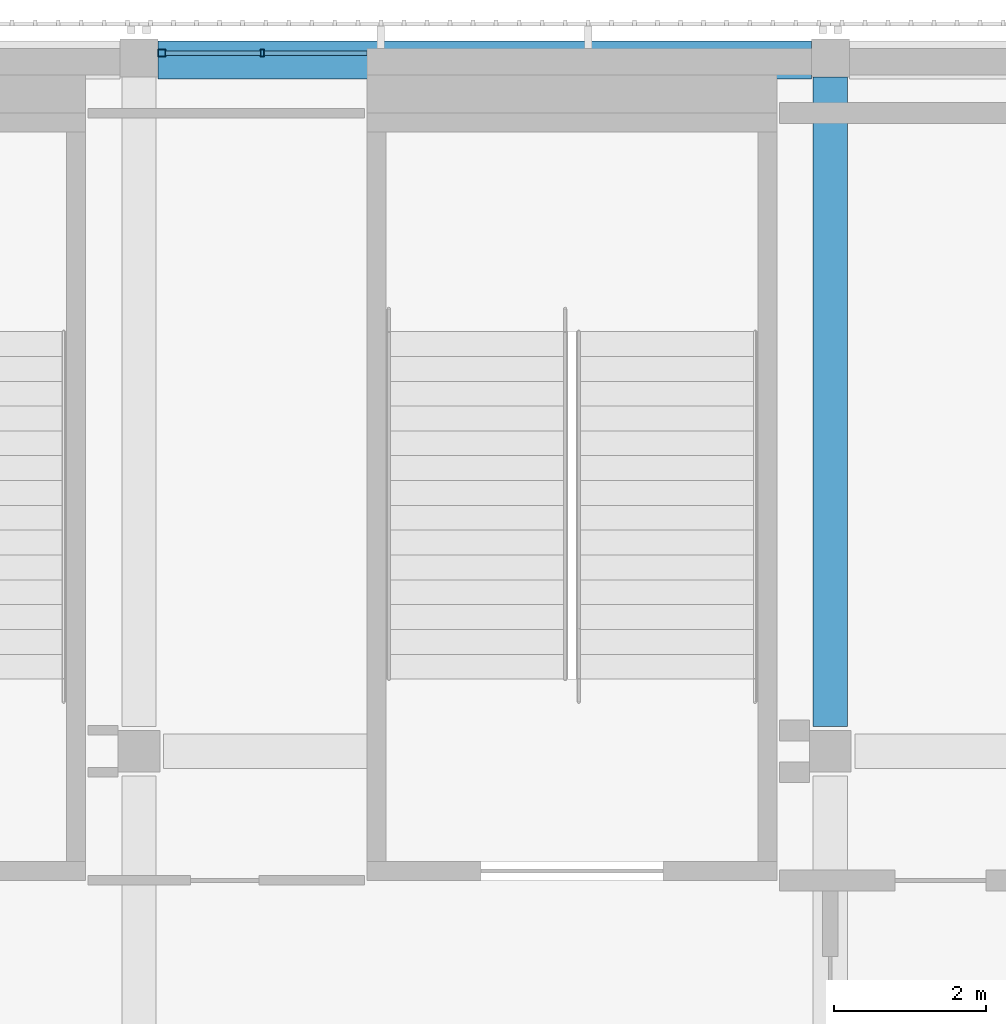
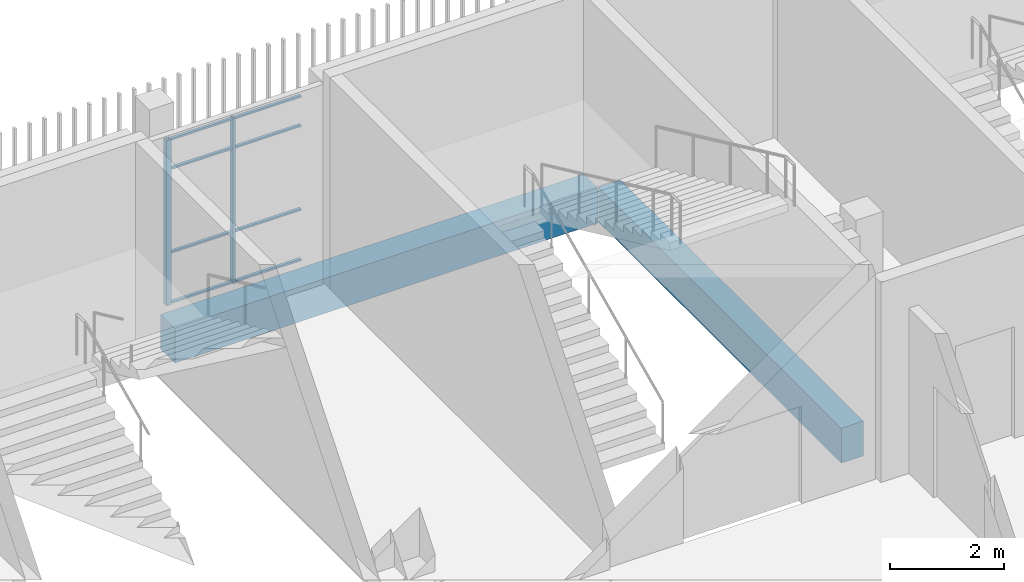
# One storey, part 53 of 139: 10 members, 2 beams, 1 element without a shape of its own.
"""IFC4 building model written with IfcOpenShell, lengths in metres."""

import ifcopenshell
import ifcopenshell.guid

model = None  # the IFC model being written
_history = None  # IfcOwnerHistory: only IFC2X3 demands one
_inside = {}  # id of a spatial element -> (the spatial element, [elements in it])
_under = {}  # id of a project, library or spatial element -> (it, [spatial elements below it])
_declared = {}  # id of a project -> (the project, [libraries it declares])
_typed = {}  # id of a type object -> (the type object, [elements of that type])
_made_of = {}  # id of a material, layer set ... -> (it, [elements and type objects made of it])


def new_model(schema):
    """Start an empty IFC model of exactly this schema.

    Asked for "IFC4X3", IfcOpenShell would pick the latest addendum, in which some entities
    have other attributes; the version numbers below select the first issue.
    IFC2X3 requires an IfcOwnerHistory on every rooted entity: one is made here for all.
    """
    global model, _history
    if schema == "IFC4X3":
        model = ifcopenshell.file(schema_version=(4, 3, 0, 0))
    else:
        model = ifcopenshell.file(schema=schema)
    _inside.clear()
    _under.clear()
    _declared.clear()
    _typed.clear()
    _made_of.clear()
    _history = None
    if model.schema == "IFC2X3":
        org = make("IfcOrganization", Name="unknown")
        user = make(
            "IfcPersonAndOrganization",
            ThePerson=make("IfcPerson", FamilyName="unknown"),
            TheOrganization=org,
        )
        app = make(
            "IfcApplication",
            ApplicationDeveloper=org,
            Version="unknown",
            ApplicationFullName="unknown",
            ApplicationIdentifier="unknown",
        )
        _history = make(
            "IfcOwnerHistory",
            OwningUser=user,
            OwningApplication=app,
            ChangeAction="ADDED",
            CreationDate=0,
        )
    return model


def make(cls, **values):
    """One entity of the class cls with the attributes given. An attribute that is None is left unset."""
    return model.create_entity(
        cls, **{name: value for name, value in values.items() if value is not None}
    )


def rooted(cls, **values):
    """An entity with a GlobalId (a new one), such as an element, a storey or a relation."""
    return make(cls, GlobalId=ifcopenshell.guid.new(), OwnerHistory=_history, **values)


def si_unit(unit_type, name, prefix=None):
    """IfcSIUnit, for example si_unit("LENGTHUNIT", "METRE", prefix="MILLI")."""
    return make("IfcSIUnit", UnitType=unit_type, Prefix=prefix, Name=name)


def assignment(units):
    """IfcUnitAssignment: the units of a project."""
    return None if units is None else make("IfcUnitAssignment", Units=units)


def point(xyz):
    """IfcCartesianPoint."""
    return None if xyz is None else make("IfcCartesianPoint", Coordinates=xyz)


def direction(xyz):
    """IfcDirection."""
    return None if xyz is None else make("IfcDirection", DirectionRatios=xyz)


def frame(location, z_axis=None, x_axis=None):
    """IfcAxis2Placement3D, a coordinate frame: its origin and axes. An axis left out is left unset."""
    return make(
        "IfcAxis2Placement3D",
        Location=point(location),
        Axis=direction(z_axis),
        RefDirection=direction(x_axis),
    )


def frame_2d(location, x_axis=None):
    """IfcAxis2Placement2D, a coordinate frame in the plane: its origin and x axis."""
    return make(
        "IfcAxis2Placement2D", Location=point(location), RefDirection=direction(x_axis)
    )


def origin():
    """The frame at (0, 0, 0) with its axes left unset."""
    return frame((0.0, 0.0, 0.0))


def origin_2d():
    """The frame at (0, 0) in the plane with its x axis left unset."""
    return frame_2d((0.0, 0.0))


def place(relative_to, where):
    """IfcLocalPlacement: puts the frame where relative to a parent placement (None: the world)."""
    return make(
        "IfcLocalPlacement", PlacementRelTo=relative_to, RelativePlacement=where
    )


def context(
    kind, dimensions, precision=None, world=None, true_north=None, identifier=None
):
    """IfcGeometricRepresentationContext, for example the 3D "Model" context."""
    return make(
        "IfcGeometricRepresentationContext",
        ContextIdentifier=identifier,
        ContextType=kind,
        CoordinateSpaceDimension=dimensions,
        Precision=precision,
        WorldCoordinateSystem=world,
        TrueNorth=true_north,
    )


def subcontext(parent, identifier, kind, view, scale=None):
    """IfcGeometricRepresentationSubContext, for example "Body" below "Model"."""
    return make(
        "IfcGeometricRepresentationSubContext",
        ContextIdentifier=identifier,
        ContextType=kind,
        ParentContext=parent,
        TargetScale=scale,
        TargetView=view,
    )


def project(units=None, contexts=None):
    """IfcProject with its units and contexts."""
    return rooted(
        "IfcProject",
        Name="project",
        RepresentationContexts=contexts,
        UnitsInContext=assignment(units),
    )


def spatial(cls, under=None, at=None, **own):
    """A site, building, storey or space (cls), placed at a placement, below another one or the project."""
    s = rooted(cls, ObjectPlacement=at, **own)
    if under is not None:
        _under.setdefault(under.id(), (under, []))[1].append(s)
    return s


def profile(cls, at=None, kind="AREA", **sizes):
    """A parametric profile (cls). Its sizes go by their IFC names, for example OverallWidth=200.0."""
    return make(cls, ProfileType=kind, Position=at, **sizes)


def rectangle(**sizes):
    """IfcRectangleProfileDef."""
    return profile("IfcRectangleProfileDef", **sizes)


def hollow_rectangle(**sizes):
    """IfcRectangleHollowProfileDef."""
    return profile("IfcRectangleHollowProfileDef", **sizes)


def extrude(swept, where, along, depth):
    """IfcExtrudedAreaSolid: the profile swept, set in the frame where, extruded along a direction by depth."""
    return make(
        "IfcExtrudedAreaSolid",
        SweptArea=swept,
        Position=where,
        ExtrudedDirection=direction(along),
        Depth=depth,
    )


def shape(context_of_items, identifier, shape_type, items):
    """IfcShapeRepresentation: the items that make up one representation, for example the "Body"."""
    return make(
        "IfcShapeRepresentation",
        ContextOfItems=context_of_items,
        RepresentationIdentifier=identifier,
        RepresentationType=shape_type,
        Items=items,
    )


def material(Name=None, Category=None):
    """IfcMaterial."""
    return make("IfcMaterial", Name=Name, Category=Category)


def layer(
    of_material, thickness, ventilated=None, Name=None, Category=None, Priority=None
):
    """IfcMaterialLayer: one layer of a wall or slab, of a material (None: an air gap)."""
    return make(
        "IfcMaterialLayer",
        Material=of_material,
        LayerThickness=thickness,
        IsVentilated=ventilated,
        Name=Name,
        Category=Category,
        Priority=Priority,
    )


def layer_set(layers, Name=None):
    """IfcMaterialLayerSet."""
    return make("IfcMaterialLayerSet", MaterialLayers=layers, LayerSetName=Name)


def material_profile(
    of_material, cross_section, Name=None, Category=None, Priority=None
):
    """IfcMaterialProfile: a cross section and its material."""
    return make(
        "IfcMaterialProfile",
        Name=Name,
        Material=of_material,
        Profile=cross_section,
        Priority=Priority,
        Category=Category,
    )


def profile_set(profiles, Name=None, composite=None):
    """IfcMaterialProfileSet."""
    return make(
        "IfcMaterialProfileSet",
        Name=Name,
        MaterialProfiles=profiles,
        CompositeProfile=composite,
    )


def made_of(thing, what):
    """Note that an element or type object is made of a material, layer set ...; save() writes the relation."""
    if what is not None:
        _made_of.setdefault(what.id(), (what, []))[1].append(thing)
    return thing


def type_object(cls, material=None, **own):
    """A type object (cls), such as IfcWallType, which elements share."""
    return made_of(rooted(cls, **own), material)


def element(
    cls,
    number,
    at=None,
    inside=None,
    cuts=None,
    type_object=None,
    material=None,
    context=None,
    identifier="Body",
    shape_type=None,
    held_by="IfcProductDefinitionShape",
    body=None,
    shapes=None,
    **own,
):
    """One element of the class cls, such as IfcWall. Its Tag is "e" and its number.

    at: its placement. inside: the storey or other place that contains it. cuts: it is an
    opening in that element (IfcRelVoidsElement). A single representation is given by context,
    identifier, shape_type and body (its items); several are given by shapes. held_by: the class
    of the entity that holds the representations. save() writes the other relations.
    """
    e = rooted(cls, Tag="e%d" % number, ObjectPlacement=at, **own)
    if body is not None:
        shapes = [shape(context, identifier, shape_type, body)]
    if shapes is not None:
        e.Representation = make(held_by, Representations=shapes)
    if inside is not None:
        _inside.setdefault(inside.id(), (inside, []))[1].append(e)
    if cuts is not None:
        rooted(
            "IfcRelVoidsElement", RelatingBuildingElement=cuts, RelatedOpeningElement=e
        )
    if type_object is not None:
        _typed.setdefault(type_object.id(), (type_object, []))[1].append(e)
    return made_of(e, material)


def aggregate(whole, parts):
    """IfcRelAggregates: a whole, such as a stair, and the parts it consists of."""
    return rooted("IfcRelAggregates", RelatingObject=whole, RelatedObjects=parts)


def save(model, path):
    """Write the relations noted so far, then the file.

    IfcRelAggregates (storeys below a building ...), IfcRelContainedInSpatialStructure (elements
    in a storey), IfcRelDefinesByType, IfcRelAssociatesMaterial and IfcRelDeclares: one each for
    every whole, place, type object, material and project.
    """
    for whole, parts in _under.values():
        aggregate(whole, parts)
    for where, things in _inside.values():
        rooted(
            "IfcRelContainedInSpatialStructure",
            RelatedElements=things,
            RelatingStructure=where,
        )
    for kind, things in _typed.values():
        rooted("IfcRelDefinesByType", RelatedObjects=things, RelatingType=kind)
    for what, things in _made_of.values():
        rooted("IfcRelAssociatesMaterial", RelatedObjects=things, RelatingMaterial=what)
    for by, libraries in _declared.values():
        rooted("IfcRelDeclares", RelatingContext=by, RelatedDefinitions=libraries)
    model.write(path)


model = new_model("IFC4")

# Units and contexts
model_context = context("Model", 3, precision=1e-05, world=origin(), true_north=direction((0.0, 1.0)))
body_context = subcontext(model_context, "Body", "Model", "MODEL_VIEW")
ifc_project = project(units=[si_unit("LENGTHUNIT", "METRE"), si_unit("AREAUNIT", "SQUARE_METRE"), si_unit("VOLUMEUNIT", "CUBIC_METRE"), si_unit("PLANEANGLEUNIT", "RADIAN"), si_unit("MASSUNIT", "GRAM", prefix="KILO")], contexts=[model_context])

# Site, building, storey
site_placement = place(None, origin())
site = spatial("IfcSite", under=ifc_project, at=site_placement, CompositionType="ELEMENT")
building_placement = place(site_placement, origin())
building = spatial("IfcBuilding", under=site, at=building_placement, Name="Shirokan Park Arena", CompositionType="ELEMENT")
storey_placement = place(building_placement, frame((0.0, 0.0, 15.469970703125)))
storey = spatial("IfcBuildingStorey", under=building, at=storey_placement, Name="L03", CompositionType="ELEMENT", Elevation=15.469970703125)

# Curtain wall, members
ifc_material_1 = material(Name="Steel and glass curtain wall", Category="steel")
ifc_layer = layer(ifc_material_1, 0.1201171875)
ifc_layer_set = layer_set([ifc_layer], Name="Steel and glass curtain wall 120 mm")
curtain_wall_type = type_object("IfcCurtainWallType", Name="Curtain wall corner block side bay 120", PredefinedType="NOTDEFINED", material=ifc_layer_set)
curtain_wall_placement = place(storey_placement, origin())
curtain_wall = element("IfcCurtainWall", 1, at=curtain_wall_placement, inside=storey, type_object=curtain_wall_type, Name="Curtain wall north bay 3 L03", PredefinedType="NOTDEFINED")
ifc_material_2 = material(Name="Steel S355", Category="steel")
ifc_material_profile_1 = material_profile(ifc_material_2, hollow_rectangle(XDim=0.10009765625, YDim=0.10009765625, WallThickness=0.006103515625, at=origin_2d()), Name="RHS 100x100x6")
ifc_profile_set_1 = profile_set([ifc_material_profile_1], Name="Steel S355")
member_type_1 = type_object("IfcMemberType", Name="Mullion RHS 100x100x6", PredefinedType="MULLION", material=ifc_profile_set_1)
member_1_placement = place(storey_placement, frame((118.60009765625, 109.2900390625, 0.0), z_axis=(0.0, 0.0, 1.0), x_axis=(0.0, -1.0, 0.0)))
member_1 = element("IfcMember", 2, at=member_1_placement, type_object=member_type_1, Name="CW3 mullion 3", PredefinedType="MULLION", context=body_context, shape_type="SweptSolid", body=[
    extrude(hollow_rectangle(XDim=0.10009765625, YDim=0.10009765625, WallThickness=0.006103515625, at=origin_2d()), origin(), (0.0, 0.0, 1.0), 3.550048828125),
])
ifc_material_profile_2 = material_profile(ifc_material_2, hollow_rectangle(XDim=0.10009765625, YDim=0.050048828125, WallThickness=0.0048828125, at=origin_2d()), Name="RHS 100x50x5")
ifc_profile_set_2 = profile_set([ifc_material_profile_2], Name="Steel S355")
member_type_2 = type_object("IfcMemberType", Name="Mullion RHS 100x50x5", PredefinedType="MULLION", material=ifc_profile_set_2)
member_2_placement = place(storey_placement, frame((119.925048828125, 109.2900390625, 0.0), z_axis=(0.0, 0.0, 1.0), x_axis=(0.0, -1.0, 0.0)))
member_2 = element("IfcMember", 3, at=member_2_placement, type_object=member_type_2, Name="CW3 mullion 2", PredefinedType="MULLION", context=body_context, shape_type="SweptSolid", body=[
    extrude(hollow_rectangle(XDim=0.10009765625, YDim=0.050048828125, WallThickness=0.0048828125, at=origin_2d()), origin(), (0.0, 0.0, 1.0), 3.550048828125),
])

# Beams
ifc_material_3 = material(Name="Concrete C35", Category="concrete")
ifc_material_profile_3 = material_profile(ifc_material_3, rectangle(XDim=0.449951171875, YDim=0.75, at=origin_2d()), Name="450x750")
ifc_profile_set_3 = profile_set([ifc_material_profile_3], Name="Concrete C35")
beam_type_1 = type_object("IfcBeamType", Name="RC girder 450x750", PredefinedType="BEAM", material=ifc_profile_set_3)
beam_1_placement = place(storey_placement, frame((127.39990234375, 100.425048828125, -0.675048828125), z_axis=(0.0, 1.0, 0.0), x_axis=(-1.0, 0.0, 0.0)))
element("IfcBeam", 4, at=beam_1_placement, inside=storey, type_object=beam_type_1, Name="Girder 15M-15N L03", PredefinedType="BEAM", context=body_context, shape_type="SweptSolid", body=[
    extrude(rectangle(XDim=0.449951171875, YDim=0.75, at=origin_2d()), origin(), (0.0, 0.0, 1.0), 8.5498046875),
])
ifc_material_profile_4 = material_profile(ifc_material_3, rectangle(XDim=0.5, YDim=0.75, at=origin_2d()), Name="500x750")
ifc_profile_set_4 = profile_set([ifc_material_profile_4], Name="Concrete C35")
beam_type_2 = type_object("IfcBeamType", Name="RC girder 500x750", PredefinedType="BEAM", material=ifc_profile_set_4)
beam_2_placement = place(storey_placement, frame((118.550048828125, 109.199951171875, -0.675048828125), z_axis=(1.0, 0.0, 0.0), x_axis=(0.0, 1.0, 0.0)))
element("IfcBeam", 5, at=beam_2_placement, inside=storey, type_object=beam_type_2, Name="Girder 14N-15N L03", PredefinedType="BEAM", context=body_context, shape_type="SweptSolid", body=[
    extrude(rectangle(XDim=0.5, YDim=0.75, at=origin_2d()), origin(), (0.0, 0.0, 1.0), 8.599853515625),
])

# Member
ifc_material_profile_5 = material_profile(ifc_material_2, hollow_rectangle(XDim=0.06005859375, YDim=0.0400390625, WallThickness=0.00390625, at=origin_2d()), Name="RHS 60x40x4")
ifc_profile_set_5 = profile_set([ifc_material_profile_5], Name="Steel S355")
member_type_3 = type_object("IfcMemberType", Name="Transom RHS 60x40x4", PredefinedType="MULLION", material=ifc_profile_set_5)
member_3_placement = place(storey_placement, frame((121.300048828125, 109.2900390625, 0.02001953125), z_axis=(-1.0, 0.0, 0.0), x_axis=(0.0, -1.0, 0.0)))
member_3 = element("IfcMember", 6, at=member_3_placement, type_object=member_type_3, Name="CW3 transom 1.1", PredefinedType="MULLION", context=body_context, shape_type="SweptSolid", body=[
    extrude(hollow_rectangle(XDim=0.06005859375, YDim=0.0400390625, WallThickness=0.00390625, at=origin_2d()), origin(), (0.0, 0.0, 1.0), 1.35009765625),
])

member_4_placement = place(storey_placement, frame((121.300048828125, 109.2900390625, 1.10009765625), z_axis=(-1.0, 0.0, 0.0), x_axis=(0.0, -1.0, 0.0)))
member_4 = element("IfcMember", 7, at=member_4_placement, type_object=member_type_3, Name="CW3 transom 1.2", PredefinedType="MULLION", context=body_context, shape_type="SweptSolid", body=[
    extrude(hollow_rectangle(XDim=0.06005859375, YDim=0.0400390625, WallThickness=0.00390625, at=origin_2d()), origin(), (0.0, 0.0, 1.0), 1.35009765625),
])

member_5_placement = place(storey_placement, frame((121.300048828125, 109.2900390625, 2.900146484375), z_axis=(-1.0, 0.0, 0.0), x_axis=(0.0, -1.0, 0.0)))
member_5 = element("IfcMember", 8, at=member_5_placement, type_object=member_type_3, Name="CW3 transom 1.3", PredefinedType="MULLION", context=body_context, shape_type="SweptSolid", body=[
    extrude(hollow_rectangle(XDim=0.06005859375, YDim=0.0400390625, WallThickness=0.00390625, at=origin_2d()), origin(), (0.0, 0.0, 1.0), 1.35009765625),
])

member_6_placement = place(storey_placement, frame((121.300048828125, 109.2900390625, 3.530029296875), z_axis=(-1.0, 0.0, 0.0), x_axis=(0.0, -1.0, 0.0)))
member_6 = element("IfcMember", 9, at=member_6_placement, type_object=member_type_3, Name="CW3 transom 1.4", PredefinedType="MULLION", context=body_context, shape_type="SweptSolid", body=[
    extrude(hollow_rectangle(XDim=0.06005859375, YDim=0.0400390625, WallThickness=0.00390625, at=origin_2d()), origin(), (0.0, 0.0, 1.0), 1.35009765625),
])

member_7_placement = place(storey_placement, frame((119.89990234375, 109.2900390625, 0.02001953125), z_axis=(-1.0, 0.0, 0.0), x_axis=(0.0, -1.0, 0.0)))
member_7 = element("IfcMember", 10, at=member_7_placement, type_object=member_type_3, Name="CW3 transom 2.1", PredefinedType="MULLION", context=body_context, shape_type="SweptSolid", body=[
    extrude(hollow_rectangle(XDim=0.06005859375, YDim=0.0400390625, WallThickness=0.00390625, at=origin_2d()), origin(), (0.0, 0.0, 1.0), 1.25),
])

member_8_placement = place(storey_placement, frame((119.89990234375, 109.2900390625, 1.10009765625), z_axis=(-1.0, 0.0, 0.0), x_axis=(0.0, -1.0, 0.0)))
member_8 = element("IfcMember", 11, at=member_8_placement, type_object=member_type_3, Name="CW3 transom 2.2", PredefinedType="MULLION", context=body_context, shape_type="SweptSolid", body=[
    extrude(hollow_rectangle(XDim=0.06005859375, YDim=0.0400390625, WallThickness=0.00390625, at=origin_2d()), origin(), (0.0, 0.0, 1.0), 1.25),
])

member_9_placement = place(storey_placement, frame((119.89990234375, 109.2900390625, 2.900146484375), z_axis=(-1.0, 0.0, 0.0), x_axis=(0.0, -1.0, 0.0)))
member_9 = element("IfcMember", 12, at=member_9_placement, type_object=member_type_3, Name="CW3 transom 2.3", PredefinedType="MULLION", context=body_context, shape_type="SweptSolid", body=[
    extrude(hollow_rectangle(XDim=0.06005859375, YDim=0.0400390625, WallThickness=0.00390625, at=origin_2d()), origin(), (0.0, 0.0, 1.0), 1.25),
])

member_10_placement = place(storey_placement, frame((119.89990234375, 109.2900390625, 3.530029296875), z_axis=(-1.0, 0.0, 0.0), x_axis=(0.0, -1.0, 0.0)))
member_10 = element("IfcMember", 13, at=member_10_placement, type_object=member_type_3, Name="CW3 transom 2.4", PredefinedType="MULLION", context=body_context, shape_type="SweptSolid", body=[
    extrude(hollow_rectangle(XDim=0.06005859375, YDim=0.0400390625, WallThickness=0.00390625, at=origin_2d()), origin(), (0.0, 0.0, 1.0), 1.25),
])

aggregate(curtain_wall, [member_2, member_1, member_3, member_4, member_5, member_6, member_7, member_8, member_9, member_10])

save(model, "model.ifc")
